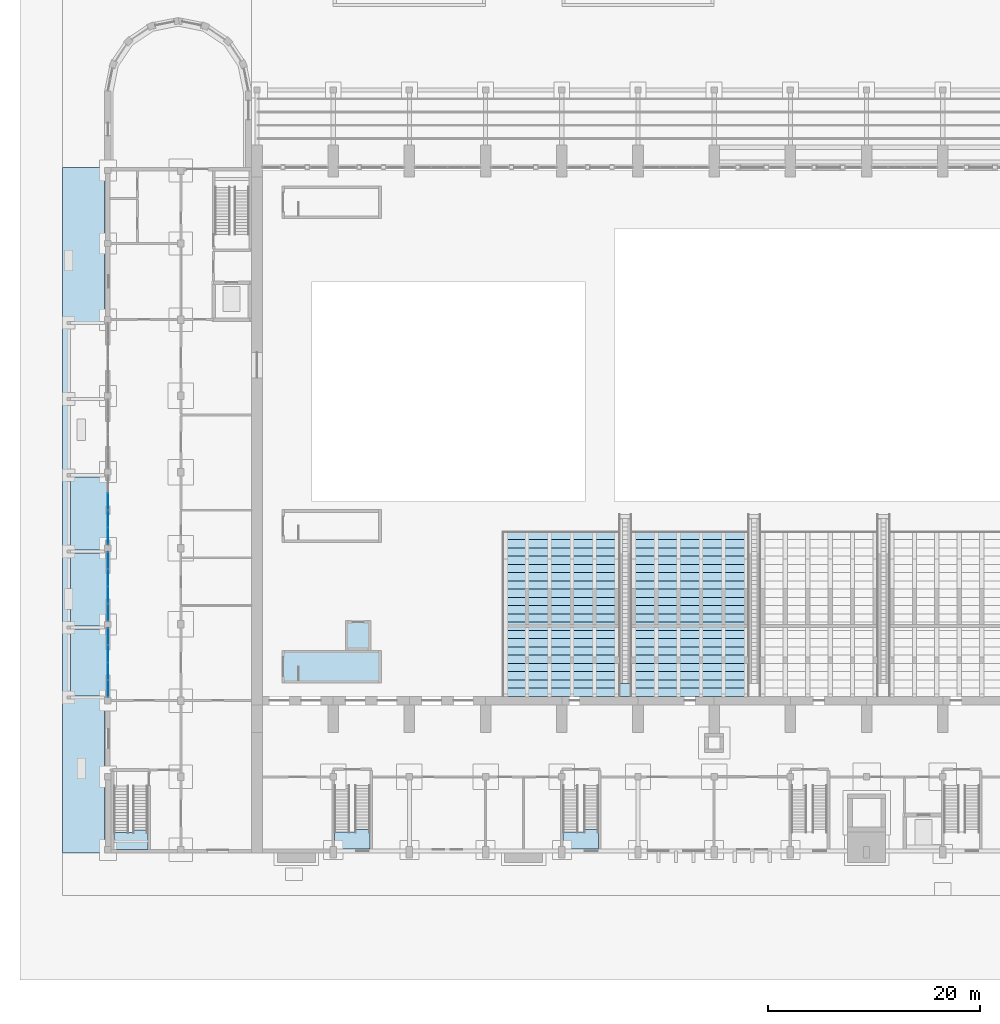
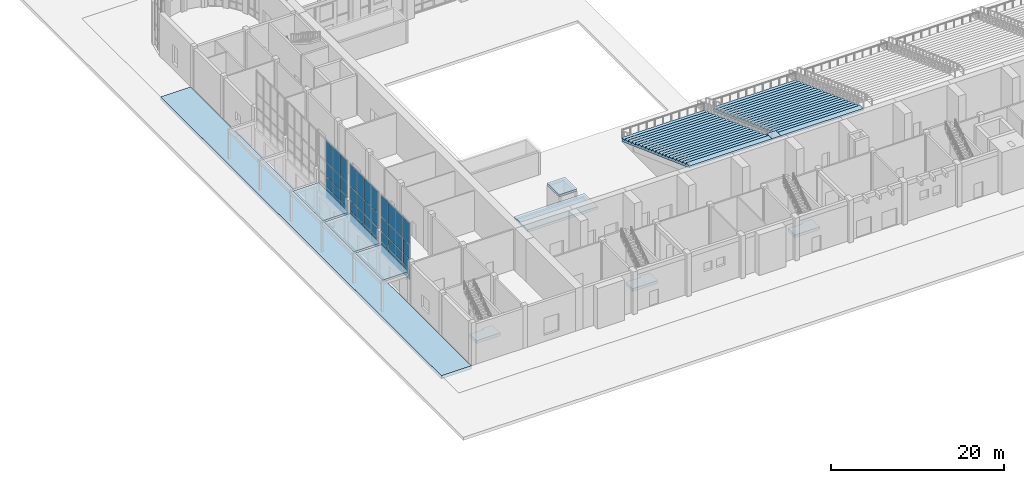
# One storey, part 28 of 70: 44 plates, 12 slabs, 7 elements without a shape of their own.
"""IFC4 building model written with IfcOpenShell, lengths in metres."""

from ifc_helpers import new_model, si_unit, direction, frame, origin, origin_2d, place, context, subcontext, project, spatial, polyline, rectangle, outline, extrude, material, layer, layer_set, type_object, element, aggregate, save


model = new_model("IFC4")

# Units and contexts
model_context = context("Model", 3, precision=1e-05, world=origin(), true_north=direction((0.0, 1.0)))
body_context = subcontext(model_context, "Body", "Model", "MODEL_VIEW")
ifc_project = project(units=[si_unit("LENGTHUNIT", "METRE"), si_unit("AREAUNIT", "SQUARE_METRE"), si_unit("VOLUMEUNIT", "CUBIC_METRE"), si_unit("PLANEANGLEUNIT", "RADIAN"), si_unit("MASSUNIT", "GRAM", prefix="KILO")], contexts=[model_context])

# Site, building, storey
site_placement = place(None, origin())
site = spatial("IfcSite", under=ifc_project, at=site_placement, CompositionType="ELEMENT")
building_placement = place(site_placement, origin())
building = spatial("IfcBuilding", under=site, at=building_placement, Name="Vermilion Court Aquatics Centre", CompositionType="ELEMENT")
storey_placement = place(building_placement, origin())
storey = spatial("IfcBuildingStorey", under=building, at=storey_placement, Name="L00", CompositionType="ELEMENT", Elevation=0.0)

# Slabs
ifc_material_1 = material(Name="Concrete 5000 psi", Category="concrete")
ifc_layer_1 = layer(ifc_material_1, 0.1201171875)
ifc_layer_set_1 = layer_set([ifc_layer_1], Name="Foyer canopy slab 120")
slab_type_1 = type_object("IfcSlabType", Name="Foyer canopy slab 120", PredefinedType="ROOF", material=ifc_layer_set_1)
slab_1_placement = place(storey_placement, frame((0.0, 0.0, 4.080078125)))
element("IfcSlab", 1, at=slab_1_placement, inside=storey, type_object=slab_type_1, Name="Foyer entrance canopy slab", PredefinedType="ROOF", context=body_context, shape_type="SweptSolid", body=[
    extrude(outline(polyline([(-3.25, 14.85009765625), (0.199951171875, 14.85009765625), (0.199951171875, 21.14990234375), (-3.25, 21.14990234375), (-3.25, 14.85009765625)])), origin(), (0.0, 0.0, 1.0), 0.119873046875),
])
slab_2_placement = place(storey_placement, frame((0.0, 0.0, 4.080078125)))
element("IfcSlab", 2, at=slab_2_placement, inside=storey, type_object=slab_type_1, Name="Foyer entrance canopy slab", PredefinedType="ROOF", context=body_context, shape_type="SweptSolid", body=[
    extrude(outline(polyline([(-3.25, 21.449951171875), (0.199951171875, 21.449951171875), (0.199951171875, 28.35009765625), (-3.25, 28.35009765625), (-3.25, 21.449951171875)])), origin(), (0.0, 0.0, 1.0), 0.119873046875),
])
slab_3_placement = place(storey_placement, frame((0.0, 0.0, 4.080078125)))
element("IfcSlab", 3, at=slab_3_placement, inside=storey, type_object=slab_type_1, Name="Foyer entrance canopy slab", PredefinedType="ROOF", context=body_context, shape_type="SweptSolid", body=[
    extrude(outline(polyline([(-3.25, 28.64990234375), (0.199951171875, 28.64990234375), (0.199951171875, 35.550048828125), (-3.25, 35.550048828125), (-3.25, 28.64990234375)])), origin(), (0.0, 0.0, 1.0), 0.119873046875),
])

# Stair, slab
ifc_material_2 = material(Name="Concrete 5000 psi", Category="concrete")
stair_type_1 = type_object("IfcStairType", Name="Foyer exit stair", PredefinedType="HALF_TURN_STAIR", material=ifc_material_2)
stair_1_placement = place(storey_placement, origin())
stair_1 = element("IfcStair", 4, at=stair_1_placement, inside=storey, type_object=stair_type_1, Name="Exit stair F1", PredefinedType="HALF_TURN_STAIR")
ifc_material_3 = material(Name="Concrete 5000 psi", Category="concrete")
ifc_layer_2 = layer(ifc_material_3, 0.425048828125)
ifc_layer_set_2 = layer_set([ifc_layer_2], Name="Foyer exit stair landing 425")
slab_type_2 = type_object("IfcSlabType", Name="Foyer exit stair landing 425", PredefinedType="LANDING", material=ifc_layer_set_2)
slab_4_placement = place(storey_placement, frame((0.0, 0.0, 2.574951171875)))
slab_4 = element("IfcSlab", 5, at=slab_4_placement, type_object=slab_type_2, Name="FST1 landing 1", PredefinedType="LANDING", context=body_context, shape_type="SweptSolid", body=[
    extrude(outline(polyline([(0.875, 0.35009765625), (4.074951171875, 0.35009765625), (4.074951171875, 2.169921875), (2.675048828125, 2.169921875), (2.675048828125, 1.919921875), (0.875, 1.919921875), (0.875, 0.35009765625)])), origin(), (0.0, 0.0, 1.0), 0.425048828125),
])
aggregate(stair_1, [slab_4])

# Curtain wall, plates
ifc_material_4 = material(Name="Aluminium 6063-T5", Category="aluminium")
curtain_wall_type = type_object("IfcCurtainWallType", Name="Foyer curtain wall", PredefinedType="NOTDEFINED", material=ifc_material_4)
curtain_wall_1_placement = place(storey_placement, origin())
curtain_wall_1 = element("IfcCurtainWall", 6, at=curtain_wall_1_placement, inside=storey, type_object=curtain_wall_type, Name="Foyer curtain wall 3", PredefinedType="NOTDEFINED")
ifc_material_5 = material(Name="Glazing", Category="glass")
ifc_layer_3 = layer(ifc_material_5, 0.028076171875)
ifc_layer_set_3 = layer_set([ifc_layer_3], Name="Foyer glazing panel 28")
plate_type_1 = type_object("IfcPlateType", Name="Foyer glazing panel 28", PredefinedType="CURTAIN_PANEL", material=ifc_layer_set_3)
plate_1_placement = place(storey_placement, frame((0.300048828125, 15.5400390625, 4.530029296875), z_axis=(0.0, 0.0, 1.0), x_axis=(0.0, 1.0, 0.0)))
plate_1 = element("IfcPlate", 7, at=plate_1_placement, type_object=plate_type_1, Name="FCW1 panel 1.2", PredefinedType="CURTAIN_PANEL", context=body_context, shape_type="SweptSolid", body=[
    extrude(rectangle(XDim=1.56005859375, YDim=0.028076171875, at=origin_2d()), origin(), (0.0, 0.0, 1.0), 1.43994140625),
])
plate_2_placement = place(storey_placement, frame((0.300048828125, 15.5400390625, 6.030029296875), z_axis=(0.0, 0.0, 1.0), x_axis=(0.0, 1.0, 0.0)))
plate_2 = element("IfcPlate", 8, at=plate_2_placement, type_object=plate_type_1, Name="FCW1 panel 1.3", PredefinedType="CURTAIN_PANEL", context=body_context, shape_type="SweptSolid", body=[
    extrude(rectangle(XDim=1.56005859375, YDim=0.028076171875, at=origin_2d()), origin(), (0.0, 0.0, 1.0), 1.93994140625),
])
plate_3_placement = place(storey_placement, frame((0.300048828125, 17.175048828125, 4.530029296875), z_axis=(0.0, 0.0, 1.0), x_axis=(0.0, 1.0, 0.0)))
plate_3 = element("IfcPlate", 9, at=plate_3_placement, type_object=plate_type_1, Name="FCW1 panel 2.2", PredefinedType="CURTAIN_PANEL", context=body_context, shape_type="SweptSolid", body=[
    extrude(rectangle(XDim=1.590087890625, YDim=0.028076171875, at=origin_2d()), origin(), (0.0, 0.0, 1.0), 1.43994140625),
])
plate_4_placement = place(storey_placement, frame((0.300048828125, 17.175048828125, 6.030029296875), z_axis=(0.0, 0.0, 1.0), x_axis=(0.0, 1.0, 0.0)))
plate_4 = element("IfcPlate", 10, at=plate_4_placement, type_object=plate_type_1, Name="FCW1 panel 2.3", PredefinedType="CURTAIN_PANEL", context=body_context, shape_type="SweptSolid", body=[
    extrude(rectangle(XDim=1.590087890625, YDim=0.028076171875, at=origin_2d()), origin(), (0.0, 0.0, 1.0), 1.93994140625),
])
plate_5_placement = place(storey_placement, frame((0.300048828125, 18.824951171875, 4.530029296875), z_axis=(0.0, 0.0, 1.0), x_axis=(0.0, 1.0, 0.0)))
plate_5 = element("IfcPlate", 11, at=plate_5_placement, type_object=plate_type_1, Name="FCW1 panel 3.2", PredefinedType="CURTAIN_PANEL", context=body_context, shape_type="SweptSolid", body=[
    extrude(rectangle(XDim=1.590087890625, YDim=0.028076171875, at=origin_2d()), origin(), (0.0, 0.0, 1.0), 1.43994140625),
])
plate_6_placement = place(storey_placement, frame((0.300048828125, 18.824951171875, 6.030029296875), z_axis=(0.0, 0.0, 1.0), x_axis=(0.0, 1.0, 0.0)))
plate_6 = element("IfcPlate", 12, at=plate_6_placement, type_object=plate_type_1, Name="FCW1 panel 3.3", PredefinedType="CURTAIN_PANEL", context=body_context, shape_type="SweptSolid", body=[
    extrude(rectangle(XDim=1.590087890625, YDim=0.028076171875, at=origin_2d()), origin(), (0.0, 0.0, 1.0), 1.93994140625),
])
plate_7_placement = place(storey_placement, frame((0.300048828125, 20.4599609375, 4.530029296875), z_axis=(0.0, 0.0, 1.0), x_axis=(0.0, 1.0, 0.0)))
plate_7 = element("IfcPlate", 13, at=plate_7_placement, type_object=plate_type_1, Name="FCW1 panel 4.2", PredefinedType="CURTAIN_PANEL", context=body_context, shape_type="SweptSolid", body=[
    extrude(rectangle(XDim=1.56005859375, YDim=0.028076171875, at=origin_2d()), origin(), (0.0, 0.0, 1.0), 1.43994140625),
])
plate_8_placement = place(storey_placement, frame((0.300048828125, 20.4599609375, 6.030029296875), z_axis=(0.0, 0.0, 1.0), x_axis=(0.0, 1.0, 0.0)))
plate_8 = element("IfcPlate", 14, at=plate_8_placement, type_object=plate_type_1, Name="FCW1 panel 4.3", PredefinedType="CURTAIN_PANEL", context=body_context, shape_type="SweptSolid", body=[
    extrude(rectangle(XDim=1.56005859375, YDim=0.028076171875, at=origin_2d()), origin(), (0.0, 0.0, 1.0), 1.93994140625),
])

curtain_wall_2_placement = place(storey_placement, origin())
curtain_wall_2 = element("IfcCurtainWall", 15, at=curtain_wall_2_placement, inside=storey, type_object=curtain_wall_type, Name="Foyer curtain wall 4", PredefinedType="NOTDEFINED")
plate_9_placement = place(storey_placement, frame((0.300048828125, 22.739990234375, 4.530029296875), z_axis=(0.0, 0.0, 1.0), x_axis=(0.0, 1.0, 0.0)))
plate_9 = element("IfcPlate", 16, at=plate_9_placement, type_object=plate_type_1, Name="FCW1 panel 1.2", PredefinedType="CURTAIN_PANEL", context=body_context, shape_type="SweptSolid", body=[
    extrude(rectangle(XDim=1.56005859375, YDim=0.028076171875, at=origin_2d()), origin(), (0.0, 0.0, 1.0), 1.43994140625),
])
plate_10_placement = place(storey_placement, frame((0.300048828125, 22.739990234375, 6.030029296875), z_axis=(0.0, 0.0, 1.0), x_axis=(0.0, 1.0, 0.0)))
plate_10 = element("IfcPlate", 17, at=plate_10_placement, type_object=plate_type_1, Name="FCW1 panel 1.3", PredefinedType="CURTAIN_PANEL", context=body_context, shape_type="SweptSolid", body=[
    extrude(rectangle(XDim=1.56005859375, YDim=0.028076171875, at=origin_2d()), origin(), (0.0, 0.0, 1.0), 1.93994140625),
])
plate_11_placement = place(storey_placement, frame((0.300048828125, 24.375, 4.530029296875), z_axis=(0.0, 0.0, 1.0), x_axis=(0.0, 1.0, 0.0)))
plate_11 = element("IfcPlate", 18, at=plate_11_placement, type_object=plate_type_1, Name="FCW1 panel 2.2", PredefinedType="CURTAIN_PANEL", context=body_context, shape_type="SweptSolid", body=[
    extrude(rectangle(XDim=1.590087890625, YDim=0.028076171875, at=origin_2d()), origin(), (0.0, 0.0, 1.0), 1.43994140625),
])
plate_12_placement = place(storey_placement, frame((0.300048828125, 24.375, 6.030029296875), z_axis=(0.0, 0.0, 1.0), x_axis=(0.0, 1.0, 0.0)))
plate_12 = element("IfcPlate", 19, at=plate_12_placement, type_object=plate_type_1, Name="FCW1 panel 2.3", PredefinedType="CURTAIN_PANEL", context=body_context, shape_type="SweptSolid", body=[
    extrude(rectangle(XDim=1.590087890625, YDim=0.028076171875, at=origin_2d()), origin(), (0.0, 0.0, 1.0), 1.93994140625),
])
plate_13_placement = place(storey_placement, frame((0.300048828125, 26.02490234375, 4.530029296875), z_axis=(0.0, 0.0, 1.0), x_axis=(0.0, 1.0, 0.0)))
plate_13 = element("IfcPlate", 20, at=plate_13_placement, type_object=plate_type_1, Name="FCW1 panel 3.2", PredefinedType="CURTAIN_PANEL", context=body_context, shape_type="SweptSolid", body=[
    extrude(rectangle(XDim=1.590087890625, YDim=0.028076171875, at=origin_2d()), origin(), (0.0, 0.0, 1.0), 1.43994140625),
])
plate_14_placement = place(storey_placement, frame((0.300048828125, 26.02490234375, 6.030029296875), z_axis=(0.0, 0.0, 1.0), x_axis=(0.0, 1.0, 0.0)))
plate_14 = element("IfcPlate", 21, at=plate_14_placement, type_object=plate_type_1, Name="FCW1 panel 3.3", PredefinedType="CURTAIN_PANEL", context=body_context, shape_type="SweptSolid", body=[
    extrude(rectangle(XDim=1.590087890625, YDim=0.028076171875, at=origin_2d()), origin(), (0.0, 0.0, 1.0), 1.93994140625),
])
plate_15_placement = place(storey_placement, frame((0.300048828125, 27.659912109375, 4.530029296875), z_axis=(0.0, 0.0, 1.0), x_axis=(0.0, 1.0, 0.0)))
plate_15 = element("IfcPlate", 22, at=plate_15_placement, type_object=plate_type_1, Name="FCW1 panel 4.2", PredefinedType="CURTAIN_PANEL", context=body_context, shape_type="SweptSolid", body=[
    extrude(rectangle(XDim=1.56005859375, YDim=0.028076171875, at=origin_2d()), origin(), (0.0, 0.0, 1.0), 1.43994140625),
])
plate_16_placement = place(storey_placement, frame((0.300048828125, 27.659912109375, 6.030029296875), z_axis=(0.0, 0.0, 1.0), x_axis=(0.0, 1.0, 0.0)))
plate_16 = element("IfcPlate", 23, at=plate_16_placement, type_object=plate_type_1, Name="FCW1 panel 4.3", PredefinedType="CURTAIN_PANEL", context=body_context, shape_type="SweptSolid", body=[
    extrude(rectangle(XDim=1.56005859375, YDim=0.028076171875, at=origin_2d()), origin(), (0.0, 0.0, 1.0), 1.93994140625),
])

curtain_wall_3_placement = place(storey_placement, origin())
curtain_wall_3 = element("IfcCurtainWall", 24, at=curtain_wall_3_placement, inside=storey, type_object=curtain_wall_type, Name="Foyer curtain wall 5", PredefinedType="NOTDEFINED")
plate_17_placement = place(storey_placement, frame((0.300048828125, 29.93994140625, 4.530029296875), z_axis=(0.0, 0.0, 1.0), x_axis=(0.0, 1.0, 0.0)))
plate_17 = element("IfcPlate", 25, at=plate_17_placement, type_object=plate_type_1, Name="FCW1 panel 1.2", PredefinedType="CURTAIN_PANEL", context=body_context, shape_type="SweptSolid", body=[
    extrude(rectangle(XDim=1.56005859375, YDim=0.028076171875, at=origin_2d()), origin(), (0.0, 0.0, 1.0), 1.43994140625),
])
plate_18_placement = place(storey_placement, frame((0.300048828125, 29.93994140625, 6.030029296875), z_axis=(0.0, 0.0, 1.0), x_axis=(0.0, 1.0, 0.0)))
plate_18 = element("IfcPlate", 26, at=plate_18_placement, type_object=plate_type_1, Name="FCW1 panel 1.3", PredefinedType="CURTAIN_PANEL", context=body_context, shape_type="SweptSolid", body=[
    extrude(rectangle(XDim=1.56005859375, YDim=0.028076171875, at=origin_2d()), origin(), (0.0, 0.0, 1.0), 1.93994140625),
])
plate_19_placement = place(storey_placement, frame((0.300048828125, 31.574951171875, 4.530029296875), z_axis=(0.0, 0.0, 1.0), x_axis=(0.0, 1.0, 0.0)))
plate_19 = element("IfcPlate", 27, at=plate_19_placement, type_object=plate_type_1, Name="FCW1 panel 2.2", PredefinedType="CURTAIN_PANEL", context=body_context, shape_type="SweptSolid", body=[
    extrude(rectangle(XDim=1.590087890625, YDim=0.028076171875, at=origin_2d()), origin(), (0.0, 0.0, 1.0), 1.43994140625),
])
plate_20_placement = place(storey_placement, frame((0.300048828125, 31.574951171875, 6.030029296875), z_axis=(0.0, 0.0, 1.0), x_axis=(0.0, 1.0, 0.0)))
plate_20 = element("IfcPlate", 28, at=plate_20_placement, type_object=plate_type_1, Name="FCW1 panel 2.3", PredefinedType="CURTAIN_PANEL", context=body_context, shape_type="SweptSolid", body=[
    extrude(rectangle(XDim=1.590087890625, YDim=0.028076171875, at=origin_2d()), origin(), (0.0, 0.0, 1.0), 1.93994140625),
])
plate_21_placement = place(storey_placement, frame((0.300048828125, 33.22509765625, 4.530029296875), z_axis=(0.0, 0.0, 1.0), x_axis=(0.0, 1.0, 0.0)))
plate_21 = element("IfcPlate", 29, at=plate_21_placement, type_object=plate_type_1, Name="FCW1 panel 3.2", PredefinedType="CURTAIN_PANEL", context=body_context, shape_type="SweptSolid", body=[
    extrude(rectangle(XDim=1.590087890625, YDim=0.028076171875, at=origin_2d()), origin(), (0.0, 0.0, 1.0), 1.43994140625),
])
plate_22_placement = place(storey_placement, frame((0.300048828125, 33.22509765625, 6.030029296875), z_axis=(0.0, 0.0, 1.0), x_axis=(0.0, 1.0, 0.0)))
plate_22 = element("IfcPlate", 30, at=plate_22_placement, type_object=plate_type_1, Name="FCW1 panel 3.3", PredefinedType="CURTAIN_PANEL", context=body_context, shape_type="SweptSolid", body=[
    extrude(rectangle(XDim=1.590087890625, YDim=0.028076171875, at=origin_2d()), origin(), (0.0, 0.0, 1.0), 1.93994140625),
])

# Plate
ifc_material_6 = material(Name="Glazing", Category="glass")
ifc_layer_4 = layer(ifc_material_6, 0.0400390625)
ifc_layer_set_4 = layer_set([ifc_layer_4], Name="Foyer laminated safety panel 40")
plate_type_2 = type_object("IfcPlateType", Name="Foyer laminated safety panel 40", PredefinedType="CURTAIN_PANEL", material=ifc_layer_set_4)
plate_23_placement = place(storey_placement, frame((0.300048828125, 15.5400390625, 3.06005859375), z_axis=(0.0, 0.0, 1.0), x_axis=(0.0, 1.0, 0.0)))
plate_23 = element("IfcPlate", 31, at=plate_23_placement, type_object=plate_type_2, Name="FCW1 panel 1.1", PredefinedType="CURTAIN_PANEL", context=body_context, shape_type="SweptSolid", body=[
    extrude(rectangle(XDim=1.56005859375, YDim=0.0400390625, at=origin_2d()), origin(), (0.0, 0.0, 1.0), 1.409912109375),
])

plate_24_placement = place(storey_placement, frame((0.300048828125, 17.175048828125, 3.06005859375), z_axis=(0.0, 0.0, 1.0), x_axis=(0.0, 1.0, 0.0)))
plate_24 = element("IfcPlate", 32, at=plate_24_placement, type_object=plate_type_2, Name="FCW1 panel 2.1", PredefinedType="CURTAIN_PANEL", context=body_context, shape_type="SweptSolid", body=[
    extrude(rectangle(XDim=1.590087890625, YDim=0.0400390625, at=origin_2d()), origin(), (0.0, 0.0, 1.0), 1.409912109375),
])

plate_25_placement = place(storey_placement, frame((0.300048828125, 18.824951171875, 3.06005859375), z_axis=(0.0, 0.0, 1.0), x_axis=(0.0, 1.0, 0.0)))
plate_25 = element("IfcPlate", 33, at=plate_25_placement, type_object=plate_type_2, Name="FCW1 panel 3.1", PredefinedType="CURTAIN_PANEL", context=body_context, shape_type="SweptSolid", body=[
    extrude(rectangle(XDim=1.590087890625, YDim=0.0400390625, at=origin_2d()), origin(), (0.0, 0.0, 1.0), 1.409912109375),
])

plate_26_placement = place(storey_placement, frame((0.300048828125, 20.4599609375, 3.06005859375), z_axis=(0.0, 0.0, 1.0), x_axis=(0.0, 1.0, 0.0)))
plate_26 = element("IfcPlate", 34, at=plate_26_placement, type_object=plate_type_2, Name="FCW1 panel 4.1", PredefinedType="CURTAIN_PANEL", context=body_context, shape_type="SweptSolid", body=[
    extrude(rectangle(XDim=1.56005859375, YDim=0.0400390625, at=origin_2d()), origin(), (0.0, 0.0, 1.0), 1.409912109375),
])

plate_27_placement = place(storey_placement, frame((0.300048828125, 22.739990234375, 3.06005859375), z_axis=(0.0, 0.0, 1.0), x_axis=(0.0, 1.0, 0.0)))
plate_27 = element("IfcPlate", 35, at=plate_27_placement, type_object=plate_type_2, Name="FCW1 panel 1.1", PredefinedType="CURTAIN_PANEL", context=body_context, shape_type="SweptSolid", body=[
    extrude(rectangle(XDim=1.56005859375, YDim=0.0400390625, at=origin_2d()), origin(), (0.0, 0.0, 1.0), 1.409912109375),
])

plate_28_placement = place(storey_placement, frame((0.300048828125, 24.375, 3.06005859375), z_axis=(0.0, 0.0, 1.0), x_axis=(0.0, 1.0, 0.0)))
plate_28 = element("IfcPlate", 36, at=plate_28_placement, type_object=plate_type_2, Name="FCW1 panel 2.1", PredefinedType="CURTAIN_PANEL", context=body_context, shape_type="SweptSolid", body=[
    extrude(rectangle(XDim=1.590087890625, YDim=0.0400390625, at=origin_2d()), origin(), (0.0, 0.0, 1.0), 1.409912109375),
])

plate_29_placement = place(storey_placement, frame((0.300048828125, 26.02490234375, 3.06005859375), z_axis=(0.0, 0.0, 1.0), x_axis=(0.0, 1.0, 0.0)))
plate_29 = element("IfcPlate", 37, at=plate_29_placement, type_object=plate_type_2, Name="FCW1 panel 3.1", PredefinedType="CURTAIN_PANEL", context=body_context, shape_type="SweptSolid", body=[
    extrude(rectangle(XDim=1.590087890625, YDim=0.0400390625, at=origin_2d()), origin(), (0.0, 0.0, 1.0), 1.409912109375),
])

plate_30_placement = place(storey_placement, frame((0.300048828125, 27.659912109375, 3.06005859375), z_axis=(0.0, 0.0, 1.0), x_axis=(0.0, 1.0, 0.0)))
plate_30 = element("IfcPlate", 38, at=plate_30_placement, type_object=plate_type_2, Name="FCW1 panel 4.1", PredefinedType="CURTAIN_PANEL", context=body_context, shape_type="SweptSolid", body=[
    extrude(rectangle(XDim=1.56005859375, YDim=0.0400390625, at=origin_2d()), origin(), (0.0, 0.0, 1.0), 1.409912109375),
])

plate_31_placement = place(storey_placement, frame((0.300048828125, 29.93994140625, 3.06005859375), z_axis=(0.0, 0.0, 1.0), x_axis=(0.0, 1.0, 0.0)))
plate_31 = element("IfcPlate", 39, at=plate_31_placement, type_object=plate_type_2, Name="FCW1 panel 1.1", PredefinedType="CURTAIN_PANEL", context=body_context, shape_type="SweptSolid", body=[
    extrude(rectangle(XDim=1.56005859375, YDim=0.0400390625, at=origin_2d()), origin(), (0.0, 0.0, 1.0), 1.409912109375),
])

plate_32_placement = place(storey_placement, frame((0.300048828125, 31.574951171875, 3.06005859375), z_axis=(0.0, 0.0, 1.0), x_axis=(0.0, 1.0, 0.0)))
plate_32 = element("IfcPlate", 40, at=plate_32_placement, type_object=plate_type_2, Name="FCW1 panel 2.1", PredefinedType="CURTAIN_PANEL", context=body_context, shape_type="SweptSolid", body=[
    extrude(rectangle(XDim=1.590087890625, YDim=0.0400390625, at=origin_2d()), origin(), (0.0, 0.0, 1.0), 1.409912109375),
])

plate_33_placement = place(storey_placement, frame((0.300048828125, 33.22509765625, 3.06005859375), z_axis=(0.0, 0.0, 1.0), x_axis=(0.0, 1.0, 0.0)))
plate_33 = element("IfcPlate", 41, at=plate_33_placement, type_object=plate_type_2, Name="FCW1 panel 3.1", PredefinedType="CURTAIN_PANEL", context=body_context, shape_type="SweptSolid", body=[
    extrude(rectangle(XDim=1.590087890625, YDim=0.0400390625, at=origin_2d()), origin(), (0.0, 0.0, 1.0), 1.409912109375),
])

# Slab
ifc_material_7 = material(Name="Concrete 4000 psi", Category="concrete")
ifc_layer_5 = layer(ifc_material_7, 0.449951171875)
ifc_layer_set_5 = layer_set([ifc_layer_5], Name="Foyer plaza paving slab 450")
slab_type_3 = type_object("IfcSlabType", Name="Foyer plaza paving slab 450", PredefinedType="FLOOR", material=ifc_layer_set_5)
slab_5_placement = place(storey_placement, frame((0.0, 0.0, -0.449951171875)))
element("IfcSlab", 42, at=slab_5_placement, inside=storey, type_object=slab_type_3, Name="West plaza paving", PredefinedType="FLOOR", context=body_context, shape_type="SweptSolid", body=[
    extrude(outline(polyline([(-4.0, 0.0), (0.0, 0.0), (0.0, 64.800048828125), (-4.0, 64.800048828125), (-4.0, 0.0)])), origin(), (0.0, 0.0, 1.0), 0.449951171875),
])

# Plate
ifc_material_8 = material(Name="Glazing", Category="glass")
ifc_layer_6 = layer(ifc_material_8, 0.035888671875)
ifc_layer_set_6 = layer_set([ifc_layer_6], Name="Foyer triple glazing panel 36")
plate_type_3 = type_object("IfcPlateType", Name="Foyer triple glazing panel 36", PredefinedType="CURTAIN_PANEL", material=ifc_layer_set_6)
plate_34_placement = place(storey_placement, frame((0.300048828125, 15.5400390625, 8.030029296875), z_axis=(0.0, 0.0, 1.0), x_axis=(0.0, 1.0, 0.0)))
plate_34 = element("IfcPlate", 43, at=plate_34_placement, type_object=plate_type_3, Name="FCW1 panel 1.4", PredefinedType="CURTAIN_PANEL", context=body_context, shape_type="SweptSolid", body=[
    extrude(rectangle(XDim=1.56005859375, YDim=0.035888671875, at=origin_2d()), origin(), (0.0, 0.0, 1.0), 3.06005859375),
])

plate_35_placement = place(storey_placement, frame((0.300048828125, 17.175048828125, 8.030029296875), z_axis=(0.0, 0.0, 1.0), x_axis=(0.0, 1.0, 0.0)))
plate_35 = element("IfcPlate", 44, at=plate_35_placement, type_object=plate_type_3, Name="FCW1 panel 2.4", PredefinedType="CURTAIN_PANEL", context=body_context, shape_type="SweptSolid", body=[
    extrude(rectangle(XDim=1.590087890625, YDim=0.035888671875, at=origin_2d()), origin(), (0.0, 0.0, 1.0), 3.06005859375),
])

plate_36_placement = place(storey_placement, frame((0.300048828125, 18.824951171875, 8.030029296875), z_axis=(0.0, 0.0, 1.0), x_axis=(0.0, 1.0, 0.0)))
plate_36 = element("IfcPlate", 45, at=plate_36_placement, type_object=plate_type_3, Name="FCW1 panel 3.4", PredefinedType="CURTAIN_PANEL", context=body_context, shape_type="SweptSolid", body=[
    extrude(rectangle(XDim=1.590087890625, YDim=0.035888671875, at=origin_2d()), origin(), (0.0, 0.0, 1.0), 3.06005859375),
])

plate_37_placement = place(storey_placement, frame((0.300048828125, 20.4599609375, 8.030029296875), z_axis=(0.0, 0.0, 1.0), x_axis=(0.0, 1.0, 0.0)))
plate_37 = element("IfcPlate", 46, at=plate_37_placement, type_object=plate_type_3, Name="FCW1 panel 4.4", PredefinedType="CURTAIN_PANEL", context=body_context, shape_type="SweptSolid", body=[
    extrude(rectangle(XDim=1.56005859375, YDim=0.035888671875, at=origin_2d()), origin(), (0.0, 0.0, 1.0), 3.06005859375),
])

aggregate(curtain_wall_1, [plate_23, plate_1, plate_2, plate_34, plate_24, plate_3, plate_4, plate_35, plate_25, plate_5, plate_6, plate_36, plate_26, plate_7, plate_8, plate_37])

plate_38_placement = place(storey_placement, frame((0.300048828125, 22.739990234375, 8.030029296875), z_axis=(0.0, 0.0, 1.0), x_axis=(0.0, 1.0, 0.0)))
plate_38 = element("IfcPlate", 47, at=plate_38_placement, type_object=plate_type_3, Name="FCW1 panel 1.4", PredefinedType="CURTAIN_PANEL", context=body_context, shape_type="SweptSolid", body=[
    extrude(rectangle(XDim=1.56005859375, YDim=0.035888671875, at=origin_2d()), origin(), (0.0, 0.0, 1.0), 3.06005859375),
])

plate_39_placement = place(storey_placement, frame((0.300048828125, 24.375, 8.030029296875), z_axis=(0.0, 0.0, 1.0), x_axis=(0.0, 1.0, 0.0)))
plate_39 = element("IfcPlate", 48, at=plate_39_placement, type_object=plate_type_3, Name="FCW1 panel 2.4", PredefinedType="CURTAIN_PANEL", context=body_context, shape_type="SweptSolid", body=[
    extrude(rectangle(XDim=1.590087890625, YDim=0.035888671875, at=origin_2d()), origin(), (0.0, 0.0, 1.0), 3.06005859375),
])

plate_40_placement = place(storey_placement, frame((0.300048828125, 26.02490234375, 8.030029296875), z_axis=(0.0, 0.0, 1.0), x_axis=(0.0, 1.0, 0.0)))
plate_40 = element("IfcPlate", 49, at=plate_40_placement, type_object=plate_type_3, Name="FCW1 panel 3.4", PredefinedType="CURTAIN_PANEL", context=body_context, shape_type="SweptSolid", body=[
    extrude(rectangle(XDim=1.590087890625, YDim=0.035888671875, at=origin_2d()), origin(), (0.0, 0.0, 1.0), 3.06005859375),
])

plate_41_placement = place(storey_placement, frame((0.300048828125, 27.659912109375, 8.030029296875), z_axis=(0.0, 0.0, 1.0), x_axis=(0.0, 1.0, 0.0)))
plate_41 = element("IfcPlate", 50, at=plate_41_placement, type_object=plate_type_3, Name="FCW1 panel 4.4", PredefinedType="CURTAIN_PANEL", context=body_context, shape_type="SweptSolid", body=[
    extrude(rectangle(XDim=1.56005859375, YDim=0.035888671875, at=origin_2d()), origin(), (0.0, 0.0, 1.0), 3.06005859375),
])

aggregate(curtain_wall_2, [plate_27, plate_9, plate_10, plate_38, plate_28, plate_11, plate_12, plate_39, plate_29, plate_13, plate_14, plate_40, plate_30, plate_15, plate_16, plate_41])

plate_42_placement = place(storey_placement, frame((0.300048828125, 29.93994140625, 8.030029296875), z_axis=(0.0, 0.0, 1.0), x_axis=(0.0, 1.0, 0.0)))
plate_42 = element("IfcPlate", 51, at=plate_42_placement, type_object=plate_type_3, Name="FCW1 panel 1.4", PredefinedType="CURTAIN_PANEL", context=body_context, shape_type="SweptSolid", body=[
    extrude(rectangle(XDim=1.56005859375, YDim=0.035888671875, at=origin_2d()), origin(), (0.0, 0.0, 1.0), 3.06005859375),
])

plate_43_placement = place(storey_placement, frame((0.300048828125, 31.574951171875, 8.030029296875), z_axis=(0.0, 0.0, 1.0), x_axis=(0.0, 1.0, 0.0)))
plate_43 = element("IfcPlate", 52, at=plate_43_placement, type_object=plate_type_3, Name="FCW1 panel 2.4", PredefinedType="CURTAIN_PANEL", context=body_context, shape_type="SweptSolid", body=[
    extrude(rectangle(XDim=1.590087890625, YDim=0.035888671875, at=origin_2d()), origin(), (0.0, 0.0, 1.0), 3.06005859375),
])

plate_44_placement = place(storey_placement, frame((0.300048828125, 33.22509765625, 8.030029296875), z_axis=(0.0, 0.0, 1.0), x_axis=(0.0, 1.0, 0.0)))
plate_44 = element("IfcPlate", 53, at=plate_44_placement, type_object=plate_type_3, Name="FCW1 panel 3.4", PredefinedType="CURTAIN_PANEL", context=body_context, shape_type="SweptSolid", body=[
    extrude(rectangle(XDim=1.590087890625, YDim=0.035888671875, at=origin_2d()), origin(), (0.0, 0.0, 1.0), 3.06005859375),
])

aggregate(curtain_wall_3, [plate_31, plate_17, plate_18, plate_42, plate_32, plate_19, plate_20, plate_43, plate_33, plate_21, plate_22, plate_44])

# Slabs
ifc_material_9 = material(Name="Concrete 5000 psi", Category="concrete")
ifc_layer_7 = layer(ifc_material_9, 0.300048828125)
ifc_layer_set_7 = layer_set([ifc_layer_7], Name="Hall lift overrun slab 300")
slab_type_4 = type_object("IfcSlabType", Name="Hall lift overrun slab 300", PredefinedType="ROOF", material=ifc_layer_set_7)
slab_6_placement = place(storey_placement, frame((0.0, 0.0, 4.199951171875)))
element("IfcSlab", 54, at=slab_6_placement, inside=storey, type_object=slab_type_4, Name="Plant lift overrun slab", PredefinedType="ROOF", context=body_context, shape_type="SweptSolid", body=[
    extrude(outline(polyline([(22.75, 19.14990234375), (25.14990234375, 19.14990234375), (25.14990234375, 21.949951171875), (22.75, 21.949951171875), (22.75, 19.14990234375)])), origin(), (0.0, 0.0, 1.0), 0.300048828125),
])
ifc_material_10 = material(Name="Concrete 5000 psi", Category="concrete")
ifc_layer_8 = layer(ifc_material_10, 0.35009765625)
ifc_layer_set_8 = layer_set([ifc_layer_8], Name="Hall stair lobby roof slab 350")
slab_type_5 = type_object("IfcSlabType", Name="Hall stair lobby roof slab 350", PredefinedType="ROOF", material=ifc_layer_set_8)
slab_7_placement = place(storey_placement, frame((0.0, 0.0, 3.199951171875)))
element("IfcSlab", 55, at=slab_7_placement, inside=storey, type_object=slab_type_5, Name="Stair lobby 1 roof slab", PredefinedType="ROOF", context=body_context, shape_type="SweptSolid", body=[
    extrude(outline(polyline([(16.75, 16.050048828125), (26.14990234375, 16.050048828125), (26.14990234375, 19.14990234375), (16.75, 19.14990234375), (16.75, 16.050048828125)])), origin(), (0.0, 0.0, 1.0), 0.35009765625),
])

# Stair, slab
ifc_material_11 = material(Name="Concrete 5000 psi", Category="concrete")
stair_type_2 = type_object("IfcStairType", Name="South exit stair", PredefinedType="HALF_TURN_STAIR", material=ifc_material_11)
stair_2_placement = place(storey_placement, origin())
stair_2 = element("IfcStair", 56, at=stair_2_placement, inside=storey, type_object=stair_type_2, Name="Exit stair S1", PredefinedType="HALF_TURN_STAIR")
ifc_material_12 = material(Name="Concrete 5000 psi", Category="concrete")
ifc_layer_9 = layer(ifc_material_12, 0.199951171875)
ifc_layer_set_9 = layer_set([ifc_layer_9], Name="South exit stair landing 200")
slab_type_6 = type_object("IfcSlabType", Name="South exit stair landing 200", PredefinedType="LANDING", material=ifc_layer_set_9)
slab_8_placement = place(storey_placement, frame((0.0, 0.0, 2.594970703125)))
slab_8 = element("IfcSlab", 57, at=slab_8_placement, type_object=slab_type_6, Name="SST1 landing 1", PredefinedType="LANDING", context=body_context, shape_type="SweptSolid", body=[
    extrude(outline(polyline([(21.72509765625, 0.39990234375), (25.074951171875, 0.39990234375), (25.074951171875, 2.219970703125), (23.675048828125, 2.219970703125), (23.675048828125, 1.969970703125), (21.72509765625, 1.969970703125), (21.72509765625, 0.39990234375)])), origin(), (0.0, 0.0, 1.0), 0.405029296875),
])
aggregate(stair_2, [slab_8])

stair_3_placement = place(storey_placement, origin())
stair_3 = element("IfcStair", 58, at=stair_3_placement, inside=storey, type_object=stair_type_2, Name="Exit stair S2", PredefinedType="HALF_TURN_STAIR")
slab_9_placement = place(storey_placement, frame((0.0, 0.0, 2.594970703125)))
slab_9 = element("IfcSlab", 59, at=slab_9_placement, type_object=slab_type_6, Name="SST1 landing 1", PredefinedType="LANDING", context=body_context, shape_type="SweptSolid", body=[
    extrude(outline(polyline([(43.324951171875, 0.39990234375), (46.675048828125, 0.39990234375), (46.675048828125, 2.219970703125), (45.27490234375, 2.219970703125), (45.27490234375, 1.969970703125), (43.324951171875, 1.969970703125), (43.324951171875, 0.39990234375)])), origin(), (0.0, 0.0, 1.0), 0.405029296875),
])
aggregate(stair_3, [slab_9])

ifc_material_13 = material(Name="Concrete 5000 psi", Category="concrete")
stair_type_3 = type_object("IfcStairType", Name="Tribune aisle stair", PredefinedType="STRAIGHT_RUN_STAIR", material=ifc_material_13)
stair_4_placement = place(storey_placement, origin())
stair_4 = element("IfcStair", 60, at=stair_4_placement, inside=storey, type_object=stair_type_3, Name="Aisle stair 1", PredefinedType="STRAIGHT_RUN_STAIR")
ifc_material_14 = material(Name="Concrete 5000 psi", Category="concrete")
ifc_layer_10 = layer(ifc_material_14, 0.199951171875)
ifc_layer_set_10 = layer_set([ifc_layer_10], Name="Tribune aisle stair landing 200")
slab_type_7 = type_object("IfcSlabType", Name="Tribune aisle stair landing 200", PredefinedType="LANDING", material=ifc_layer_set_10)
slab_10_placement = place(storey_placement, frame((0.0, 0.0, 5.800048828125)))
slab_10 = element("IfcSlab", 61, at=slab_10_placement, type_object=slab_type_7, Name="TST1 landing 1", PredefinedType="LANDING", context=body_context, shape_type="SweptSolid", body=[
    extrude(outline(polyline([(48.60009765625, 14.800048828125), (49.800048828125, 14.800048828125), (49.800048828125, 16.0), (48.60009765625, 16.0), (48.60009765625, 14.800048828125)])), origin(), (0.0, 0.0, 1.0), 0.199951171875),
])
aggregate(stair_4, [slab_10])

# Slabs
ifc_material_15 = material(Name="Concrete 5000 psi", Category="concrete")
ifc_layer_11 = layer(ifc_material_15, 0.263916015625)
ifc_layer_set_11 = layer_set([ifc_layer_11], Name="Tribune stepped seating tier")
slab_type_8 = type_object("IfcSlabType", Name="Tribune stepped seating tier", PredefinedType="USERDEFINED", material=ifc_layer_set_11)
for number, where, z_axis, x_axis, name in (
    (62, (43.10009765625, 30.39990234375, 0.021484375), (0.0, 0.0, 1.0), (0.0, -1.0, 0.0), "Stand A Bay 1"),
    (63, (55.300048828125, 30.39990234375, 0.021484375), (0.0, 0.0, 1.0), (0.0, -1.0, 0.0), "Stand A Bay 2"),
):
    element("IfcSlab", number, at=place(storey_placement, frame(where, z_axis=z_axis, x_axis=x_axis)), inside=storey, type_object=slab_type_8, Name=name, ObjectType="SEATING TIER", PredefinedType="USERDEFINED", context=body_context, shape_type="SweptSolid", body=[
        extrude(outline(polyline([(0.0, 0.0), (15.60009765625, 5.714111328125), (15.60009765625, 5.978515625), (14.820068359375, 5.978515625), (14.820068359375, 5.69287109375), (14.0400390625, 5.69287109375), (14.0400390625, 5.406982421875), (13.260009765625, 5.406982421875), (13.260009765625, 5.121337890625), (12.47998046875, 5.121337890625), (12.47998046875, 4.835693359375), (11.699951171875, 4.835693359375), (11.699951171875, 4.550048828125), (10.919921875, 4.550048828125), (10.919921875, 4.26416015625), (10.139892578125, 4.26416015625), (10.139892578125, 3.978515625), (9.360107421875, 3.978515625), (9.360107421875, 3.69287109375), (8.580078125, 3.69287109375), (8.580078125, 3.406982421875), (7.800048828125, 3.406982421875), (7.800048828125, 3.121337890625), (7.02001953125, 3.121337890625), (7.02001953125, 2.835693359375), (6.239990234375, 2.835693359375), (6.239990234375, 2.550048828125), (5.4599609375, 2.550048828125), (5.4599609375, 2.26416015625), (4.679931640625, 2.26416015625), (4.679931640625, 1.978515625), (3.89990234375, 1.978515625), (3.89990234375, 1.69287109375), (3.1201171875, 1.69287109375), (3.1201171875, 1.406982421875), (2.340087890625, 1.406982421875), (2.340087890625, 1.121337890625), (1.56005859375, 1.121337890625), (1.56005859375, 0.835693359375), (0.780029296875, 0.835693359375), (0.780029296875, 0.550048828125), (0.0, 0.550048828125), (0.0, 0.0)])), frame((0.0, 5.5, 0.0), z_axis=(0.0, -1.0, 0.0), x_axis=(1.0, 0.0, 0.0)), (0.0, 0.0, 1.0), 11.0),
    ])

save(model, "model.ifc")
